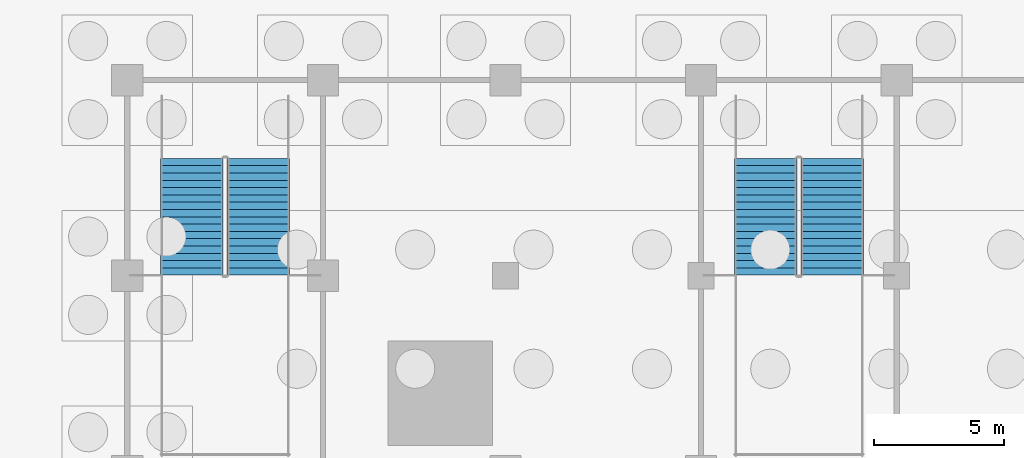
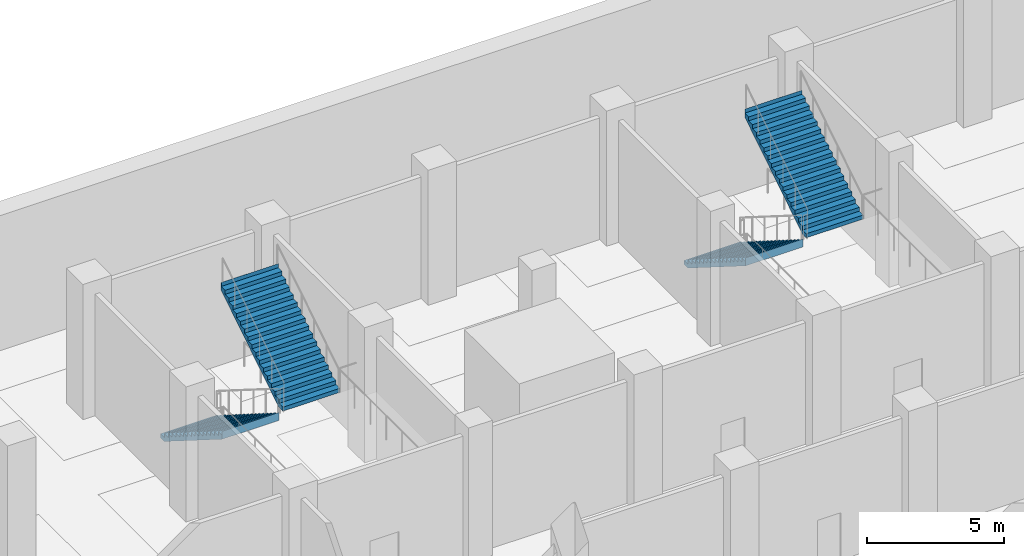
# One storey, part 24 of 39: 4 stair flights, 2 elements without a shape of their own.
"""IFC4 building model written with IfcOpenShell, lengths in metres."""

from ifc_helpers import new_model, si_unit, direction, frame, origin, place, context, subcontext, project, spatial, polyline, outline, extrude, material, type_object, element, aggregate, save


model = new_model("IFC4")

# Units and contexts
model_context = context("Model", 3, precision=1e-05, world=origin(), true_north=direction((0.0, 1.0)))
body_context = subcontext(model_context, "Body", "Model", "MODEL_VIEW")
ifc_project = project(units=[si_unit("LENGTHUNIT", "METRE"), si_unit("AREAUNIT", "SQUARE_METRE"), si_unit("VOLUMEUNIT", "CUBIC_METRE"), si_unit("PLANEANGLEUNIT", "RADIAN"), si_unit("MASSUNIT", "GRAM", prefix="KILO")], contexts=[model_context])

# Site, building, storey
site_placement = place(None, origin())
site = spatial("IfcSite", under=ifc_project, at=site_placement, CompositionType="ELEMENT")
building_placement = place(site_placement, origin())
building = spatial("IfcBuilding", under=site, at=building_placement, Name="Tamorin Gate", CompositionType="ELEMENT")
storey_placement = place(building_placement, frame((0.0, 0.0, -12.0)))
storey = spatial("IfcBuildingStorey", under=building, at=storey_placement, Name="B2", CompositionType="ELEMENT", Elevation=-12.0)

# Stair, stair flights
ifc_material = material(Name="Reinforced concrete C32/40", Category="concrete")
stair_type = type_object("IfcStairType", Name="Basement stair SB", PredefinedType="HALF_TURN_STAIR", material=ifc_material)
stair_1_placement = place(storey_placement, origin())
stair_1 = element("IfcStair", 1, at=stair_1_placement, inside=storey, type_object=stair_type, Name="B2 Basement stair SB2", PredefinedType="HALF_TURN_STAIR")
stair_flight_type = type_object("IfcStairFlightType", Name="Stair flight 2400", PredefinedType="STRAIGHT", material=ifc_material)
stair_flight_1_placement = place(storey_placement, frame((25.47509765625, 109.0, 0.0), z_axis=(0.0, 0.0, 1.0), x_axis=(0.0, -1.0, 0.0)))
stair_flight_1 = element("IfcStairFlight", 2, at=stair_flight_1_placement, type_object=stair_flight_type, Name="SB2 flight 1", NumberOfRisers=17, NumberOfTreads=16, PredefinedType="STRAIGHT", RiserHeight=0.176470588, TreadLength=0.28, context=body_context, shape_type="SweptSolid", body=[
    extrude(outline(polyline([(-0.00048828125, 0.0), (-0.00048828125, 0.001708984375), (-0.00048828125, 0.00341796875), (-0.00048828125, 0.005126953125), (-0.00048828125, 0.007080078125), (-0.00048828125, 0.0087890625), (-0.00048828125, 0.010498046875), (-0.00048828125, 0.01220703125), (-0.00048828125, 0.013916015625), (-0.00048828125, 0.015625), (-0.00048828125, 0.017578125), (-0.00048828125, 0.019287109375), (-0.00048828125, 0.02099609375), (-0.00048828125, 0.022705078125), (-0.00048828125, 0.0244140625), (-0.00048828125, 0.026123046875), (-0.00048828125, 0.028076171875), (-0.00048828125, 0.02978515625), (-0.00048828125, 0.031494140625), (-0.00048828125, 0.033203125), (-0.00048828125, 0.034912109375), (-0.00048828125, 0.03662109375), (-0.00048828125, 0.038330078125), (-0.00048828125, 0.040283203125), (-0.00048828125, 0.0419921875), (-0.00048828125, 0.043701171875), (-0.00048828125, 0.04541015625), (-0.00048828125, 0.047119140625), (-0.00048828125, 0.048828125), (-0.00048828125, 0.05078125), (-0.00048828125, 0.052490234375), (-0.00048828125, 0.05419921875), (-0.00048828125, 0.055908203125), (-0.00048828125, 0.0576171875), (-0.00048828125, 0.059326171875), (-0.00048828125, 0.06103515625), (-0.00048828125, 0.06298828125), (-0.00048828125, 0.064697265625), (-0.00048828125, 0.06640625), (-0.00048828125, 0.068115234375), (-0.00048828125, 0.06982421875), (-0.00048828125, 0.071533203125), (-0.00048828125, 0.073486328125), (-0.00048828125, 0.0751953125), (-0.00048828125, 0.076904296875), (-0.00048828125, 0.07861328125), (-0.00048828125, 0.080322265625), (-0.00048828125, 0.08203125), (-0.00048828125, 0.083984375), (-0.00048828125, 0.085693359375), (-0.00048828125, 0.08740234375), (-0.00048828125, 0.089111328125), (-0.00048828125, 0.0908203125), (-0.00048828125, 0.092529296875), (-0.00048828125, 0.09423828125), (-0.00048828125, 0.09619140625), (-0.00048828125, 0.097900390625), (-0.00048828125, 0.099609375), (-0.00048828125, 0.101318359375), (-0.00048828125, 0.10302734375), (-0.00048828125, 0.104736328125), (-0.00048828125, 0.106689453125), (-0.00048828125, 0.1083984375), (-0.00048828125, 0.110107421875), (-0.00048828125, 0.11181640625), (-0.00048828125, 0.113525390625), (-0.00048828125, 0.115234375), (-0.00048828125, 0.116943359375), (-0.00048828125, 0.118896484375), (-0.00048828125, 0.12060546875), (-0.00048828125, 0.122314453125), (-0.00048828125, 0.1240234375), (-0.00048828125, 0.125732421875), (-0.00048828125, 0.12744140625), (-0.00048828125, 0.12939453125), (-0.00048828125, 0.131103515625), (-0.00048828125, 0.1328125), (-0.00048828125, 0.134521484375), (-0.00048828125, 0.13623046875), (-0.00048828125, 0.137939453125), (-0.00048828125, 0.139892578125), (-0.00048828125, 0.1416015625), (-0.00048828125, 0.143310546875), (-0.00048828125, 0.14501953125), (-0.00048828125, 0.146728515625), (-0.00048828125, 0.1484375), (-0.00048828125, 0.150146484375), (-0.00048828125, 0.152099609375), (-0.00048828125, 0.15380859375), (-0.00048828125, 0.155517578125), (-0.00048828125, 0.1572265625), (-0.00048828125, 0.158935546875), (-0.00048828125, 0.16064453125), (-0.00048828125, 0.16259765625), (-0.00048828125, 0.164306640625), (-0.00048828125, 0.166015625), (-0.00048828125, 0.167724609375), (-0.00048828125, 0.16943359375), (-0.00048828125, 0.171142578125), (-0.00048828125, 0.173095703125), (-0.00048828125, 0.1748046875), (-0.00048828125, 0.176513671875), (0.280029296875, 0.176513671875), (0.280029296875, 0.35302734375), (0.56005859375, 0.35302734375), (0.56005859375, 0.529296875), (0.840087890625, 0.529296875), (0.840087890625, 0.705810546875), (1.1201171875, 0.705810546875), (1.1201171875, 0.88232421875), (1.39990234375, 0.88232421875), (1.39990234375, 1.058837890625), (1.679931640625, 1.058837890625), (1.679931640625, 1.2353515625), (1.9599609375, 1.2353515625), (1.9599609375, 1.411865234375), (2.239990234375, 1.411865234375), (2.239990234375, 1.588134765625), (2.52001953125, 1.588134765625), (2.52001953125, 1.7646484375), (2.800048828125, 1.7646484375), (2.800048828125, 1.941162109375), (3.080078125, 1.941162109375), (3.080078125, 2.11767578125), (3.360107421875, 2.11767578125), (3.360107421875, 2.294189453125), (3.639892578125, 2.294189453125), (3.639892578125, 2.470703125), (3.919921875, 2.470703125), (3.919921875, 2.64697265625), (4.199951171875, 2.64697265625), (4.199951171875, 2.823486328125), (4.47998046875, 2.823486328125), (4.47998046875, 3.0), (4.48046875, 3.0), (4.48046875, 2.99658203125), (4.48046875, 2.992919921875), (4.48046875, 2.989501953125), (4.48046875, 2.986083984375), (4.48046875, 2.982421875), (4.48046875, 2.97900390625), (4.48046875, 2.9755859375), (4.48046875, 2.971923828125), (4.48046875, 2.968505859375), (4.48046875, 2.965087890625), (4.48046875, 2.96142578125), (4.48046875, 2.9580078125), (4.48046875, 2.95458984375), (4.48046875, 2.950927734375), (4.48046875, 2.947509765625), (4.48046875, 2.944091796875), (4.48046875, 2.9404296875), (4.48046875, 2.93701171875), (4.48046875, 2.933349609375), (4.48046875, 2.929931640625), (4.48046875, 2.926513671875), (4.48046875, 2.9228515625), (4.48046875, 2.91943359375), (4.48046875, 2.916015625), (4.48046875, 2.912353515625), (4.48046875, 2.908935546875), (4.48046875, 2.905517578125), (4.48046875, 2.90185546875), (4.48046875, 2.8984375), (4.48046875, 2.89501953125), (4.48046875, 2.891357421875), (4.48046875, 2.887939453125), (4.48046875, 2.884521484375), (4.48046875, 2.880859375), (4.48046875, 2.87744140625), (4.48046875, 2.8740234375), (4.48046875, 2.870361328125), (4.48046875, 2.866943359375), (4.48046875, 2.863525390625), (4.48046875, 2.85986328125), (4.48046875, 2.8564453125), (4.48046875, 2.85302734375), (4.48046875, 2.849365234375), (4.48046875, 2.845947265625), (4.48046875, 2.842529296875), (4.48046875, 2.8388671875), (4.48046875, 2.83544921875), (4.48046875, 2.83203125), (4.48046875, 2.828369140625), (4.48046875, 2.824951171875), (4.48046875, 2.821533203125), (4.48046875, 2.81787109375), (4.48046875, 2.814453125), (4.48046875, 2.81103515625), (4.48046875, 2.807373046875), (4.48046875, 2.803955078125), (4.48046875, 2.80029296875), (4.48046875, 2.796875), (4.48046875, 2.79345703125), (4.48046875, 2.789794921875), (4.48046875, 2.786376953125), (4.48046875, 2.782958984375), (4.48046875, 2.779296875), (4.48046875, 2.77587890625), (4.48046875, 2.7724609375), (4.48046875, 2.768798828125), (4.48046875, 2.765380859375), (4.48046875, 2.761962890625), (4.48046875, 2.75830078125), (4.48046875, 2.7548828125), (4.48046875, 2.75146484375), (4.48046875, 2.747802734375), (4.48046875, 2.744384765625), (4.48046875, 2.740966796875), (4.48046875, 2.7373046875), (4.48046875, 2.73388671875), (4.48046875, 2.73046875), (4.48046875, 2.726806640625), (4.48046875, 2.723388671875), (4.48046875, 2.719970703125), (4.48046875, 2.71630859375), (4.48046875, 2.712890625), (4.48046875, 2.70947265625), (4.48046875, 2.705810546875), (4.48046875, 2.702392578125), (4.48046875, 2.698974609375), (4.48046875, 2.6953125), (4.48046875, 2.69189453125), (4.48046875, 2.6884765625), (4.48046875, 2.684814453125), (4.48046875, 2.681396484375), (4.48046875, 2.677734375), (4.48046875, 2.67431640625), (4.48046875, 2.6708984375), (4.48046875, 2.667236328125), (4.48046875, 2.663818359375), (4.48046875, 2.660400390625), (4.48046875, 2.65673828125), (4.48046875, 2.6533203125), (4.48046875, 2.64990234375), (4.48046875, 2.646240234375), (4.47998046875, 2.646240234375), (0.28125, 0.0), (-0.00048828125, 0.0)])), frame((0.0, 1.199951171875, 0.0), z_axis=(0.0, -1.0, 0.0), x_axis=(1.0, 0.0, 0.0)), (0.0, 0.0, 1.0), 2.39990234375),
])
stair_flight_2_placement = place(storey_placement, frame((28.02490234375, 104.52001953125, 3.0), z_axis=(0.0, 0.0, 1.0), x_axis=(0.0, 1.0, 0.0)))
stair_flight_2 = element("IfcStairFlight", 3, at=stair_flight_2_placement, type_object=stair_flight_type, Name="SB2 flight 2", NumberOfRisers=17, NumberOfTreads=16, PredefinedType="STRAIGHT", RiserHeight=0.176470588, TreadLength=0.28, context=body_context, shape_type="SweptSolid", body=[
    extrude(outline(polyline([(-0.00048828125, 0.0), (-0.00048828125, 0.001708984375), (-0.00048828125, 0.00341796875), (-0.00048828125, 0.005126953125), (-0.00048828125, 0.007080078125), (-0.00048828125, 0.0087890625), (-0.00048828125, 0.010498046875), (-0.00048828125, 0.01220703125), (-0.00048828125, 0.013916015625), (-0.00048828125, 0.015625), (-0.00048828125, 0.017578125), (-0.00048828125, 0.019287109375), (-0.00048828125, 0.02099609375), (-0.00048828125, 0.022705078125), (-0.00048828125, 0.0244140625), (-0.00048828125, 0.026123046875), (-0.00048828125, 0.028076171875), (-0.00048828125, 0.02978515625), (-0.00048828125, 0.031494140625), (-0.00048828125, 0.033203125), (-0.00048828125, 0.034912109375), (-0.00048828125, 0.03662109375), (-0.00048828125, 0.038330078125), (-0.00048828125, 0.040283203125), (-0.00048828125, 0.0419921875), (-0.00048828125, 0.043701171875), (-0.00048828125, 0.04541015625), (-0.00048828125, 0.047119140625), (-0.00048828125, 0.048828125), (-0.00048828125, 0.05078125), (-0.00048828125, 0.052490234375), (-0.00048828125, 0.05419921875), (-0.00048828125, 0.055908203125), (-0.00048828125, 0.0576171875), (-0.00048828125, 0.059326171875), (-0.00048828125, 0.06103515625), (-0.00048828125, 0.06298828125), (-0.00048828125, 0.064697265625), (-0.00048828125, 0.06640625), (-0.00048828125, 0.068115234375), (-0.00048828125, 0.06982421875), (-0.00048828125, 0.071533203125), (-0.00048828125, 0.073486328125), (-0.00048828125, 0.0751953125), (-0.00048828125, 0.076904296875), (-0.00048828125, 0.07861328125), (-0.00048828125, 0.080322265625), (-0.00048828125, 0.08203125), (-0.00048828125, 0.083984375), (-0.00048828125, 0.085693359375), (-0.00048828125, 0.08740234375), (-0.00048828125, 0.089111328125), (-0.00048828125, 0.0908203125), (-0.00048828125, 0.092529296875), (-0.00048828125, 0.09423828125), (-0.00048828125, 0.09619140625), (-0.00048828125, 0.097900390625), (-0.00048828125, 0.099609375), (-0.00048828125, 0.101318359375), (-0.00048828125, 0.10302734375), (-0.00048828125, 0.104736328125), (-0.00048828125, 0.106689453125), (-0.00048828125, 0.1083984375), (-0.00048828125, 0.110107421875), (-0.00048828125, 0.11181640625), (-0.00048828125, 0.113525390625), (-0.00048828125, 0.115234375), (-0.00048828125, 0.116943359375), (-0.00048828125, 0.118896484375), (-0.00048828125, 0.12060546875), (-0.00048828125, 0.122314453125), (-0.00048828125, 0.1240234375), (-0.00048828125, 0.125732421875), (-0.00048828125, 0.12744140625), (-0.00048828125, 0.12939453125), (-0.00048828125, 0.131103515625), (-0.00048828125, 0.1328125), (-0.00048828125, 0.134521484375), (-0.00048828125, 0.13623046875), (-0.00048828125, 0.137939453125), (-0.00048828125, 0.139892578125), (-0.00048828125, 0.1416015625), (-0.00048828125, 0.143310546875), (-0.00048828125, 0.14501953125), (-0.00048828125, 0.146728515625), (-0.00048828125, 0.1484375), (-0.00048828125, 0.150146484375), (-0.00048828125, 0.152099609375), (-0.00048828125, 0.15380859375), (-0.00048828125, 0.155517578125), (-0.00048828125, 0.1572265625), (-0.00048828125, 0.158935546875), (-0.00048828125, 0.16064453125), (-0.00048828125, 0.16259765625), (-0.00048828125, 0.164306640625), (-0.00048828125, 0.166015625), (-0.00048828125, 0.167724609375), (-0.00048828125, 0.16943359375), (-0.00048828125, 0.171142578125), (-0.00048828125, 0.173095703125), (-0.00048828125, 0.1748046875), (-0.00048828125, 0.176513671875), (0.280029296875, 0.176513671875), (0.280029296875, 0.35302734375), (0.56005859375, 0.35302734375), (0.56005859375, 0.529296875), (0.840087890625, 0.529296875), (0.840087890625, 0.705810546875), (1.1201171875, 0.705810546875), (1.1201171875, 0.88232421875), (1.39990234375, 0.88232421875), (1.39990234375, 1.058837890625), (1.679931640625, 1.058837890625), (1.679931640625, 1.2353515625), (1.9599609375, 1.2353515625), (1.9599609375, 1.411865234375), (2.239990234375, 1.411865234375), (2.239990234375, 1.588134765625), (2.52001953125, 1.588134765625), (2.52001953125, 1.7646484375), (2.800048828125, 1.7646484375), (2.800048828125, 1.941162109375), (3.080078125, 1.941162109375), (3.080078125, 2.11767578125), (3.360107421875, 2.11767578125), (3.360107421875, 2.294189453125), (3.639892578125, 2.294189453125), (3.639892578125, 2.470703125), (3.919921875, 2.470703125), (3.919921875, 2.64697265625), (4.199951171875, 2.64697265625), (4.199951171875, 2.823486328125), (4.47998046875, 2.823486328125), (4.47998046875, 3.0), (4.48046875, 3.0), (4.48046875, 2.99658203125), (4.48046875, 2.992919921875), (4.48046875, 2.989501953125), (4.48046875, 2.986083984375), (4.48046875, 2.982421875), (4.48046875, 2.97900390625), (4.48046875, 2.9755859375), (4.48046875, 2.971923828125), (4.48046875, 2.968505859375), (4.48046875, 2.965087890625), (4.48046875, 2.96142578125), (4.48046875, 2.9580078125), (4.48046875, 2.95458984375), (4.48046875, 2.950927734375), (4.48046875, 2.947509765625), (4.48046875, 2.944091796875), (4.48046875, 2.9404296875), (4.48046875, 2.93701171875), (4.48046875, 2.933349609375), (4.48046875, 2.929931640625), (4.48046875, 2.926513671875), (4.48046875, 2.9228515625), (4.48046875, 2.91943359375), (4.48046875, 2.916015625), (4.48046875, 2.912353515625), (4.48046875, 2.908935546875), (4.48046875, 2.905517578125), (4.48046875, 2.90185546875), (4.48046875, 2.8984375), (4.48046875, 2.89501953125), (4.48046875, 2.891357421875), (4.48046875, 2.887939453125), (4.48046875, 2.884521484375), (4.48046875, 2.880859375), (4.48046875, 2.87744140625), (4.48046875, 2.8740234375), (4.48046875, 2.870361328125), (4.48046875, 2.866943359375), (4.48046875, 2.863525390625), (4.48046875, 2.85986328125), (4.48046875, 2.8564453125), (4.48046875, 2.85302734375), (4.48046875, 2.849365234375), (4.48046875, 2.845947265625), (4.48046875, 2.842529296875), (4.48046875, 2.8388671875), (4.48046875, 2.83544921875), (4.48046875, 2.83203125), (4.48046875, 2.828369140625), (4.48046875, 2.824951171875), (4.48046875, 2.821533203125), (4.48046875, 2.81787109375), (4.48046875, 2.814453125), (4.48046875, 2.81103515625), (4.48046875, 2.807373046875), (4.48046875, 2.803955078125), (4.48046875, 2.80029296875), (4.48046875, 2.796875), (4.48046875, 2.79345703125), (4.48046875, 2.789794921875), (4.48046875, 2.786376953125), (4.48046875, 2.782958984375), (4.48046875, 2.779296875), (4.48046875, 2.77587890625), (4.48046875, 2.7724609375), (4.48046875, 2.768798828125), (4.48046875, 2.765380859375), (4.48046875, 2.761962890625), (4.48046875, 2.75830078125), (4.48046875, 2.7548828125), (4.48046875, 2.75146484375), (4.48046875, 2.747802734375), (4.48046875, 2.744384765625), (4.48046875, 2.740966796875), (4.48046875, 2.7373046875), (4.48046875, 2.73388671875), (4.48046875, 2.73046875), (4.48046875, 2.726806640625), (4.48046875, 2.723388671875), (4.48046875, 2.719970703125), (4.48046875, 2.71630859375), (4.48046875, 2.712890625), (4.48046875, 2.70947265625), (4.48046875, 2.705810546875), (4.48046875, 2.702392578125), (4.48046875, 2.698974609375), (4.48046875, 2.6953125), (4.48046875, 2.69189453125), (4.48046875, 2.6884765625), (4.48046875, 2.684814453125), (4.48046875, 2.681396484375), (4.48046875, 2.677734375), (4.48046875, 2.67431640625), (4.48046875, 2.6708984375), (4.48046875, 2.667236328125), (4.48046875, 2.663818359375), (4.48046875, 2.660400390625), (4.48046875, 2.65673828125), (4.48046875, 2.6533203125), (4.48046875, 2.64990234375), (4.48046875, 2.646240234375), (4.47998046875, 2.646240234375), (0.28125, 0.0), (-0.00048828125, 0.0)])), frame((0.0, 1.199951171875, 0.0), z_axis=(0.0, -1.0, 0.0), x_axis=(1.0, 0.0, 0.0)), (0.0, 0.0, 1.0), 2.39990234375),
])
aggregate(stair_1, [stair_flight_1, stair_flight_2])

stair_2_placement = place(storey_placement, origin())
stair_2 = element("IfcStair", 4, at=stair_2_placement, inside=storey, type_object=stair_type, Name="B2 Basement stair SB3", PredefinedType="HALF_TURN_STAIR")
stair_flight_3_placement = place(storey_placement, frame((47.47509765625, 109.0, 0.0), z_axis=(0.0, 0.0, 1.0), x_axis=(0.0, -1.0, 0.0)))
stair_flight_3 = element("IfcStairFlight", 5, at=stair_flight_3_placement, type_object=stair_flight_type, Name="SB3 flight 1", NumberOfRisers=17, NumberOfTreads=16, PredefinedType="STRAIGHT", RiserHeight=0.176470588, TreadLength=0.28, context=body_context, shape_type="SweptSolid", body=[
    extrude(outline(polyline([(-0.00048828125, 0.0), (-0.00048828125, 0.001708984375), (-0.00048828125, 0.00341796875), (-0.00048828125, 0.005126953125), (-0.00048828125, 0.007080078125), (-0.00048828125, 0.0087890625), (-0.00048828125, 0.010498046875), (-0.00048828125, 0.01220703125), (-0.00048828125, 0.013916015625), (-0.00048828125, 0.015625), (-0.00048828125, 0.017578125), (-0.00048828125, 0.019287109375), (-0.00048828125, 0.02099609375), (-0.00048828125, 0.022705078125), (-0.00048828125, 0.0244140625), (-0.00048828125, 0.026123046875), (-0.00048828125, 0.028076171875), (-0.00048828125, 0.02978515625), (-0.00048828125, 0.031494140625), (-0.00048828125, 0.033203125), (-0.00048828125, 0.034912109375), (-0.00048828125, 0.03662109375), (-0.00048828125, 0.038330078125), (-0.00048828125, 0.040283203125), (-0.00048828125, 0.0419921875), (-0.00048828125, 0.043701171875), (-0.00048828125, 0.04541015625), (-0.00048828125, 0.047119140625), (-0.00048828125, 0.048828125), (-0.00048828125, 0.05078125), (-0.00048828125, 0.052490234375), (-0.00048828125, 0.05419921875), (-0.00048828125, 0.055908203125), (-0.00048828125, 0.0576171875), (-0.00048828125, 0.059326171875), (-0.00048828125, 0.06103515625), (-0.00048828125, 0.06298828125), (-0.00048828125, 0.064697265625), (-0.00048828125, 0.06640625), (-0.00048828125, 0.068115234375), (-0.00048828125, 0.06982421875), (-0.00048828125, 0.071533203125), (-0.00048828125, 0.073486328125), (-0.00048828125, 0.0751953125), (-0.00048828125, 0.076904296875), (-0.00048828125, 0.07861328125), (-0.00048828125, 0.080322265625), (-0.00048828125, 0.08203125), (-0.00048828125, 0.083984375), (-0.00048828125, 0.085693359375), (-0.00048828125, 0.08740234375), (-0.00048828125, 0.089111328125), (-0.00048828125, 0.0908203125), (-0.00048828125, 0.092529296875), (-0.00048828125, 0.09423828125), (-0.00048828125, 0.09619140625), (-0.00048828125, 0.097900390625), (-0.00048828125, 0.099609375), (-0.00048828125, 0.101318359375), (-0.00048828125, 0.10302734375), (-0.00048828125, 0.104736328125), (-0.00048828125, 0.106689453125), (-0.00048828125, 0.1083984375), (-0.00048828125, 0.110107421875), (-0.00048828125, 0.11181640625), (-0.00048828125, 0.113525390625), (-0.00048828125, 0.115234375), (-0.00048828125, 0.116943359375), (-0.00048828125, 0.118896484375), (-0.00048828125, 0.12060546875), (-0.00048828125, 0.122314453125), (-0.00048828125, 0.1240234375), (-0.00048828125, 0.125732421875), (-0.00048828125, 0.12744140625), (-0.00048828125, 0.12939453125), (-0.00048828125, 0.131103515625), (-0.00048828125, 0.1328125), (-0.00048828125, 0.134521484375), (-0.00048828125, 0.13623046875), (-0.00048828125, 0.137939453125), (-0.00048828125, 0.139892578125), (-0.00048828125, 0.1416015625), (-0.00048828125, 0.143310546875), (-0.00048828125, 0.14501953125), (-0.00048828125, 0.146728515625), (-0.00048828125, 0.1484375), (-0.00048828125, 0.150146484375), (-0.00048828125, 0.152099609375), (-0.00048828125, 0.15380859375), (-0.00048828125, 0.155517578125), (-0.00048828125, 0.1572265625), (-0.00048828125, 0.158935546875), (-0.00048828125, 0.16064453125), (-0.00048828125, 0.16259765625), (-0.00048828125, 0.164306640625), (-0.00048828125, 0.166015625), (-0.00048828125, 0.167724609375), (-0.00048828125, 0.16943359375), (-0.00048828125, 0.171142578125), (-0.00048828125, 0.173095703125), (-0.00048828125, 0.1748046875), (-0.00048828125, 0.176513671875), (0.280029296875, 0.176513671875), (0.280029296875, 0.35302734375), (0.56005859375, 0.35302734375), (0.56005859375, 0.529296875), (0.840087890625, 0.529296875), (0.840087890625, 0.705810546875), (1.1201171875, 0.705810546875), (1.1201171875, 0.88232421875), (1.39990234375, 0.88232421875), (1.39990234375, 1.058837890625), (1.679931640625, 1.058837890625), (1.679931640625, 1.2353515625), (1.9599609375, 1.2353515625), (1.9599609375, 1.411865234375), (2.239990234375, 1.411865234375), (2.239990234375, 1.588134765625), (2.52001953125, 1.588134765625), (2.52001953125, 1.7646484375), (2.800048828125, 1.7646484375), (2.800048828125, 1.941162109375), (3.080078125, 1.941162109375), (3.080078125, 2.11767578125), (3.360107421875, 2.11767578125), (3.360107421875, 2.294189453125), (3.639892578125, 2.294189453125), (3.639892578125, 2.470703125), (3.919921875, 2.470703125), (3.919921875, 2.64697265625), (4.199951171875, 2.64697265625), (4.199951171875, 2.823486328125), (4.47998046875, 2.823486328125), (4.47998046875, 3.0), (4.48046875, 3.0), (4.48046875, 2.99658203125), (4.48046875, 2.992919921875), (4.48046875, 2.989501953125), (4.48046875, 2.986083984375), (4.48046875, 2.982421875), (4.48046875, 2.97900390625), (4.48046875, 2.9755859375), (4.48046875, 2.971923828125), (4.48046875, 2.968505859375), (4.48046875, 2.965087890625), (4.48046875, 2.96142578125), (4.48046875, 2.9580078125), (4.48046875, 2.95458984375), (4.48046875, 2.950927734375), (4.48046875, 2.947509765625), (4.48046875, 2.944091796875), (4.48046875, 2.9404296875), (4.48046875, 2.93701171875), (4.48046875, 2.933349609375), (4.48046875, 2.929931640625), (4.48046875, 2.926513671875), (4.48046875, 2.9228515625), (4.48046875, 2.91943359375), (4.48046875, 2.916015625), (4.48046875, 2.912353515625), (4.48046875, 2.908935546875), (4.48046875, 2.905517578125), (4.48046875, 2.90185546875), (4.48046875, 2.8984375), (4.48046875, 2.89501953125), (4.48046875, 2.891357421875), (4.48046875, 2.887939453125), (4.48046875, 2.884521484375), (4.48046875, 2.880859375), (4.48046875, 2.87744140625), (4.48046875, 2.8740234375), (4.48046875, 2.870361328125), (4.48046875, 2.866943359375), (4.48046875, 2.863525390625), (4.48046875, 2.85986328125), (4.48046875, 2.8564453125), (4.48046875, 2.85302734375), (4.48046875, 2.849365234375), (4.48046875, 2.845947265625), (4.48046875, 2.842529296875), (4.48046875, 2.8388671875), (4.48046875, 2.83544921875), (4.48046875, 2.83203125), (4.48046875, 2.828369140625), (4.48046875, 2.824951171875), (4.48046875, 2.821533203125), (4.48046875, 2.81787109375), (4.48046875, 2.814453125), (4.48046875, 2.81103515625), (4.48046875, 2.807373046875), (4.48046875, 2.803955078125), (4.48046875, 2.80029296875), (4.48046875, 2.796875), (4.48046875, 2.79345703125), (4.48046875, 2.789794921875), (4.48046875, 2.786376953125), (4.48046875, 2.782958984375), (4.48046875, 2.779296875), (4.48046875, 2.77587890625), (4.48046875, 2.7724609375), (4.48046875, 2.768798828125), (4.48046875, 2.765380859375), (4.48046875, 2.761962890625), (4.48046875, 2.75830078125), (4.48046875, 2.7548828125), (4.48046875, 2.75146484375), (4.48046875, 2.747802734375), (4.48046875, 2.744384765625), (4.48046875, 2.740966796875), (4.48046875, 2.7373046875), (4.48046875, 2.73388671875), (4.48046875, 2.73046875), (4.48046875, 2.726806640625), (4.48046875, 2.723388671875), (4.48046875, 2.719970703125), (4.48046875, 2.71630859375), (4.48046875, 2.712890625), (4.48046875, 2.70947265625), (4.48046875, 2.705810546875), (4.48046875, 2.702392578125), (4.48046875, 2.698974609375), (4.48046875, 2.6953125), (4.48046875, 2.69189453125), (4.48046875, 2.6884765625), (4.48046875, 2.684814453125), (4.48046875, 2.681396484375), (4.48046875, 2.677734375), (4.48046875, 2.67431640625), (4.48046875, 2.6708984375), (4.48046875, 2.667236328125), (4.48046875, 2.663818359375), (4.48046875, 2.660400390625), (4.48046875, 2.65673828125), (4.48046875, 2.6533203125), (4.48046875, 2.64990234375), (4.48046875, 2.646240234375), (4.47998046875, 2.646240234375), (0.28125, 0.0), (-0.00048828125, 0.0)])), frame((0.0, 1.199951171875, 0.0), z_axis=(0.0, -1.0, 0.0), x_axis=(1.0, 0.0, 0.0)), (0.0, 0.0, 1.0), 2.39990234375),
])
stair_flight_4_placement = place(storey_placement, frame((50.02490234375, 104.52001953125, 3.0), z_axis=(0.0, 0.0, 1.0), x_axis=(0.0, 1.0, 0.0)))
stair_flight_4 = element("IfcStairFlight", 6, at=stair_flight_4_placement, type_object=stair_flight_type, Name="SB3 flight 2", NumberOfRisers=17, NumberOfTreads=16, PredefinedType="STRAIGHT", RiserHeight=0.176470588, TreadLength=0.28, context=body_context, shape_type="SweptSolid", body=[
    extrude(outline(polyline([(-0.00048828125, 0.0), (-0.00048828125, 0.001708984375), (-0.00048828125, 0.00341796875), (-0.00048828125, 0.005126953125), (-0.00048828125, 0.007080078125), (-0.00048828125, 0.0087890625), (-0.00048828125, 0.010498046875), (-0.00048828125, 0.01220703125), (-0.00048828125, 0.013916015625), (-0.00048828125, 0.015625), (-0.00048828125, 0.017578125), (-0.00048828125, 0.019287109375), (-0.00048828125, 0.02099609375), (-0.00048828125, 0.022705078125), (-0.00048828125, 0.0244140625), (-0.00048828125, 0.026123046875), (-0.00048828125, 0.028076171875), (-0.00048828125, 0.02978515625), (-0.00048828125, 0.031494140625), (-0.00048828125, 0.033203125), (-0.00048828125, 0.034912109375), (-0.00048828125, 0.03662109375), (-0.00048828125, 0.038330078125), (-0.00048828125, 0.040283203125), (-0.00048828125, 0.0419921875), (-0.00048828125, 0.043701171875), (-0.00048828125, 0.04541015625), (-0.00048828125, 0.047119140625), (-0.00048828125, 0.048828125), (-0.00048828125, 0.05078125), (-0.00048828125, 0.052490234375), (-0.00048828125, 0.05419921875), (-0.00048828125, 0.055908203125), (-0.00048828125, 0.0576171875), (-0.00048828125, 0.059326171875), (-0.00048828125, 0.06103515625), (-0.00048828125, 0.06298828125), (-0.00048828125, 0.064697265625), (-0.00048828125, 0.06640625), (-0.00048828125, 0.068115234375), (-0.00048828125, 0.06982421875), (-0.00048828125, 0.071533203125), (-0.00048828125, 0.073486328125), (-0.00048828125, 0.0751953125), (-0.00048828125, 0.076904296875), (-0.00048828125, 0.07861328125), (-0.00048828125, 0.080322265625), (-0.00048828125, 0.08203125), (-0.00048828125, 0.083984375), (-0.00048828125, 0.085693359375), (-0.00048828125, 0.08740234375), (-0.00048828125, 0.089111328125), (-0.00048828125, 0.0908203125), (-0.00048828125, 0.092529296875), (-0.00048828125, 0.09423828125), (-0.00048828125, 0.09619140625), (-0.00048828125, 0.097900390625), (-0.00048828125, 0.099609375), (-0.00048828125, 0.101318359375), (-0.00048828125, 0.10302734375), (-0.00048828125, 0.104736328125), (-0.00048828125, 0.106689453125), (-0.00048828125, 0.1083984375), (-0.00048828125, 0.110107421875), (-0.00048828125, 0.11181640625), (-0.00048828125, 0.113525390625), (-0.00048828125, 0.115234375), (-0.00048828125, 0.116943359375), (-0.00048828125, 0.118896484375), (-0.00048828125, 0.12060546875), (-0.00048828125, 0.122314453125), (-0.00048828125, 0.1240234375), (-0.00048828125, 0.125732421875), (-0.00048828125, 0.12744140625), (-0.00048828125, 0.12939453125), (-0.00048828125, 0.131103515625), (-0.00048828125, 0.1328125), (-0.00048828125, 0.134521484375), (-0.00048828125, 0.13623046875), (-0.00048828125, 0.137939453125), (-0.00048828125, 0.139892578125), (-0.00048828125, 0.1416015625), (-0.00048828125, 0.143310546875), (-0.00048828125, 0.14501953125), (-0.00048828125, 0.146728515625), (-0.00048828125, 0.1484375), (-0.00048828125, 0.150146484375), (-0.00048828125, 0.152099609375), (-0.00048828125, 0.15380859375), (-0.00048828125, 0.155517578125), (-0.00048828125, 0.1572265625), (-0.00048828125, 0.158935546875), (-0.00048828125, 0.16064453125), (-0.00048828125, 0.16259765625), (-0.00048828125, 0.164306640625), (-0.00048828125, 0.166015625), (-0.00048828125, 0.167724609375), (-0.00048828125, 0.16943359375), (-0.00048828125, 0.171142578125), (-0.00048828125, 0.173095703125), (-0.00048828125, 0.1748046875), (-0.00048828125, 0.176513671875), (0.280029296875, 0.176513671875), (0.280029296875, 0.35302734375), (0.56005859375, 0.35302734375), (0.56005859375, 0.529296875), (0.840087890625, 0.529296875), (0.840087890625, 0.705810546875), (1.1201171875, 0.705810546875), (1.1201171875, 0.88232421875), (1.39990234375, 0.88232421875), (1.39990234375, 1.058837890625), (1.679931640625, 1.058837890625), (1.679931640625, 1.2353515625), (1.9599609375, 1.2353515625), (1.9599609375, 1.411865234375), (2.239990234375, 1.411865234375), (2.239990234375, 1.588134765625), (2.52001953125, 1.588134765625), (2.52001953125, 1.7646484375), (2.800048828125, 1.7646484375), (2.800048828125, 1.941162109375), (3.080078125, 1.941162109375), (3.080078125, 2.11767578125), (3.360107421875, 2.11767578125), (3.360107421875, 2.294189453125), (3.639892578125, 2.294189453125), (3.639892578125, 2.470703125), (3.919921875, 2.470703125), (3.919921875, 2.64697265625), (4.199951171875, 2.64697265625), (4.199951171875, 2.823486328125), (4.47998046875, 2.823486328125), (4.47998046875, 3.0), (4.48046875, 3.0), (4.48046875, 2.99658203125), (4.48046875, 2.992919921875), (4.48046875, 2.989501953125), (4.48046875, 2.986083984375), (4.48046875, 2.982421875), (4.48046875, 2.97900390625), (4.48046875, 2.9755859375), (4.48046875, 2.971923828125), (4.48046875, 2.968505859375), (4.48046875, 2.965087890625), (4.48046875, 2.96142578125), (4.48046875, 2.9580078125), (4.48046875, 2.95458984375), (4.48046875, 2.950927734375), (4.48046875, 2.947509765625), (4.48046875, 2.944091796875), (4.48046875, 2.9404296875), (4.48046875, 2.93701171875), (4.48046875, 2.933349609375), (4.48046875, 2.929931640625), (4.48046875, 2.926513671875), (4.48046875, 2.9228515625), (4.48046875, 2.91943359375), (4.48046875, 2.916015625), (4.48046875, 2.912353515625), (4.48046875, 2.908935546875), (4.48046875, 2.905517578125), (4.48046875, 2.90185546875), (4.48046875, 2.8984375), (4.48046875, 2.89501953125), (4.48046875, 2.891357421875), (4.48046875, 2.887939453125), (4.48046875, 2.884521484375), (4.48046875, 2.880859375), (4.48046875, 2.87744140625), (4.48046875, 2.8740234375), (4.48046875, 2.870361328125), (4.48046875, 2.866943359375), (4.48046875, 2.863525390625), (4.48046875, 2.85986328125), (4.48046875, 2.8564453125), (4.48046875, 2.85302734375), (4.48046875, 2.849365234375), (4.48046875, 2.845947265625), (4.48046875, 2.842529296875), (4.48046875, 2.8388671875), (4.48046875, 2.83544921875), (4.48046875, 2.83203125), (4.48046875, 2.828369140625), (4.48046875, 2.824951171875), (4.48046875, 2.821533203125), (4.48046875, 2.81787109375), (4.48046875, 2.814453125), (4.48046875, 2.81103515625), (4.48046875, 2.807373046875), (4.48046875, 2.803955078125), (4.48046875, 2.80029296875), (4.48046875, 2.796875), (4.48046875, 2.79345703125), (4.48046875, 2.789794921875), (4.48046875, 2.786376953125), (4.48046875, 2.782958984375), (4.48046875, 2.779296875), (4.48046875, 2.77587890625), (4.48046875, 2.7724609375), (4.48046875, 2.768798828125), (4.48046875, 2.765380859375), (4.48046875, 2.761962890625), (4.48046875, 2.75830078125), (4.48046875, 2.7548828125), (4.48046875, 2.75146484375), (4.48046875, 2.747802734375), (4.48046875, 2.744384765625), (4.48046875, 2.740966796875), (4.48046875, 2.7373046875), (4.48046875, 2.73388671875), (4.48046875, 2.73046875), (4.48046875, 2.726806640625), (4.48046875, 2.723388671875), (4.48046875, 2.719970703125), (4.48046875, 2.71630859375), (4.48046875, 2.712890625), (4.48046875, 2.70947265625), (4.48046875, 2.705810546875), (4.48046875, 2.702392578125), (4.48046875, 2.698974609375), (4.48046875, 2.6953125), (4.48046875, 2.69189453125), (4.48046875, 2.6884765625), (4.48046875, 2.684814453125), (4.48046875, 2.681396484375), (4.48046875, 2.677734375), (4.48046875, 2.67431640625), (4.48046875, 2.6708984375), (4.48046875, 2.667236328125), (4.48046875, 2.663818359375), (4.48046875, 2.660400390625), (4.48046875, 2.65673828125), (4.48046875, 2.6533203125), (4.48046875, 2.64990234375), (4.48046875, 2.646240234375), (4.47998046875, 2.646240234375), (0.28125, 0.0), (-0.00048828125, 0.0)])), frame((0.0, 1.199951171875, 0.0), z_axis=(0.0, -1.0, 0.0), x_axis=(1.0, 0.0, 0.0)), (0.0, 0.0, 1.0), 2.39990234375),
])
aggregate(stair_2, [stair_flight_3, stair_flight_4])

save(model, "model.ifc")
